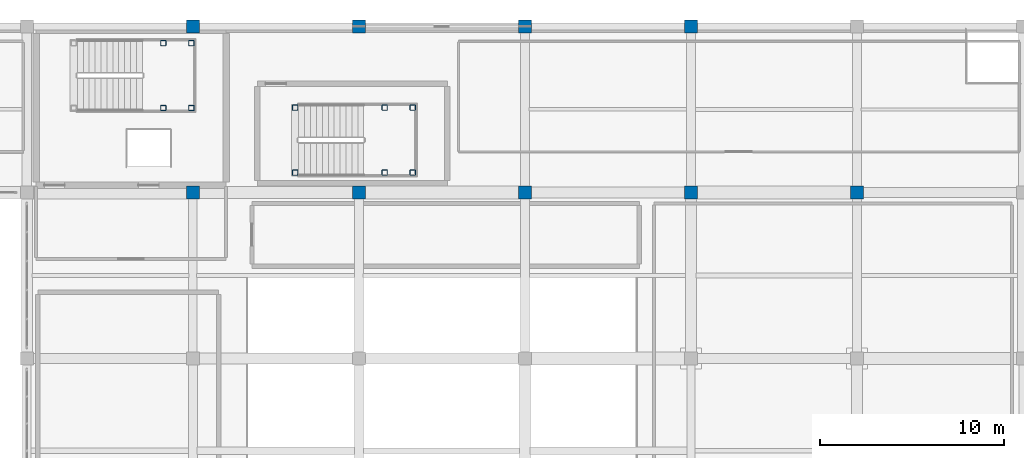
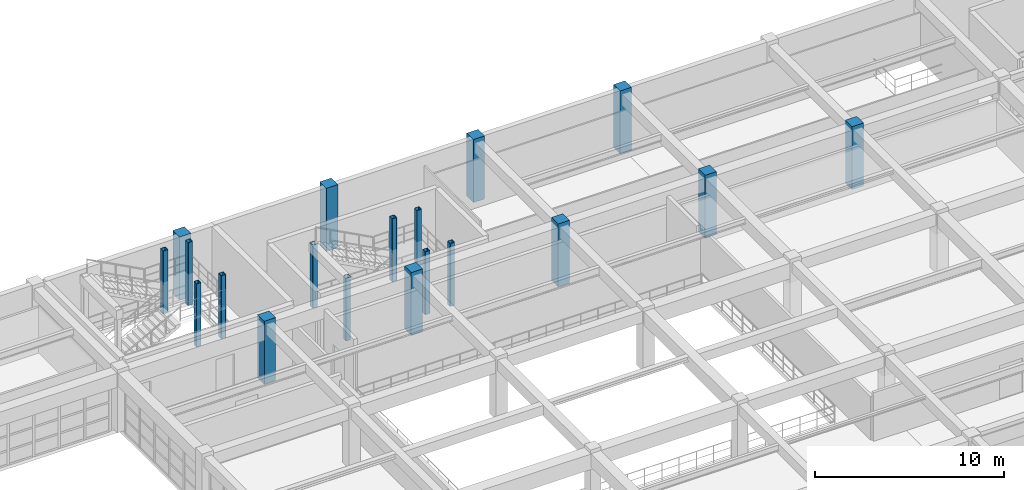
# One storey, part 13 of 130: 19 columns.
"""IFC4 building model written with IfcOpenShell, lengths in metres."""

from ifc_helpers import new_model, si_unit, direction, frame, origin, origin_2d, place, context, subcontext, project, spatial, rectangle, hollow_rectangle, extrude, material, material_profile, profile_set, type_object, element, save


model = new_model("IFC4")

# Units and contexts
model_context = context("Model", 3, precision=1e-05, world=origin(), true_north=direction((0.0, 1.0)))
body_context = subcontext(model_context, "Body", "Model", "MODEL_VIEW")
ifc_project = project(units=[si_unit("LENGTHUNIT", "METRE"), si_unit("AREAUNIT", "SQUARE_METRE"), si_unit("VOLUMEUNIT", "CUBIC_METRE"), si_unit("PLANEANGLEUNIT", "RADIAN"), si_unit("MASSUNIT", "GRAM", prefix="KILO")], contexts=[model_context])

# Site, building, storey
site_placement = place(None, origin())
site = spatial("IfcSite", under=ifc_project, at=site_placement, CompositionType="ELEMENT")
building_placement = place(site_placement, origin())
building = spatial("IfcBuilding", under=site, at=building_placement, Name="Miravela Opera House", CompositionType="ELEMENT")
storey_placement = place(building_placement, frame((0.0, 0.0, 9.52001953125)))
storey = spatial("IfcBuildingStorey", under=building, at=storey_placement, Name="L02", CompositionType="ELEMENT", Elevation=9.52001953125)

# Columns
ifc_material_1 = material(Name="Hollow structural steel ASTM A500 Gr. C", Category="steel")
ifc_material_profile_1 = material_profile(ifc_material_1, hollow_rectangle(XDim=0.300048828125, YDim=0.300048828125, WallThickness=0.01611328125, InnerFilletRadius=0.01611328125, OuterFilletRadius=0.031982421875, at=origin_2d()), Name="HSS300X300X16")
ifc_profile_set_1 = profile_set([ifc_material_profile_1])
column_type_1 = type_object("IfcColumnType", Name="STR-COL-HSS300", PredefinedType="COLUMN", material=ifc_profile_set_1)
for number, where, z_axis, x_axis, name in (
    (1, (70.39990234375, 107.580078125, 0.0), (0.0, 0.0, 1.0), (1.0, 0.0, 0.0), "Stair K5 Landing Support Column 3 (L02)"),
    (2, (70.39990234375, 111.10009765625, 0.0), (0.0, 0.0, 1.0), (1.0, 0.0, 0.0), "Stair K5 Landing Support Column 4 (L02)"),
    (3, (71.919921875, 107.580078125, 0.0), (0.0, 0.0, 1.0), (1.0, 0.0, 0.0), "Stair K5 Landing Support Column 5 (L02)"),
    (4, (71.919921875, 111.10009765625, 0.0), (0.0, 0.0, 1.0), (1.0, 0.0, 0.0), "Stair K5 Landing Support Column 6 (L02)"),
    (5, (77.5400390625, 104.080078125, 0.0), (0.0, 0.0, 1.0), (1.0, 0.0, 0.0), "Stair ST-07 Landing Support Column 1 (L02)"),
    (6, (77.5400390625, 107.60009765625, 0.0), (0.0, 0.0, 1.0), (1.0, 0.0, 0.0), "Stair ST-07 Landing Support Column 2 (L02)"),
    (7, (82.39990234375, 104.080078125, 0.0), (0.0, 0.0, 1.0), (1.0, 0.0, 0.0), "Stair ST-07 Landing Support Column 3 (L02)"),
    (8, (82.39990234375, 107.60009765625, 0.0), (0.0, 0.0, 1.0), (1.0, 0.0, 0.0), "Stair ST-07 Landing Support Column 4 (L02)"),
    (9, (83.919921875, 104.080078125, 0.0), (0.0, 0.0, 1.0), (1.0, 0.0, 0.0), "Stair ST-07 Landing Support Column 5 (L02)"),
    (10, (83.919921875, 107.60009765625, 0.0), (0.0, 0.0, 1.0), (1.0, 0.0, 0.0), "Stair ST-07 Landing Support Column 6 (L02)"),
):
    element("IfcColumn", number, at=place(storey_placement, frame(where, z_axis=z_axis, x_axis=x_axis)), inside=storey, type_object=column_type_1, Name=name, PredefinedType="COLUMN", context=body_context, shape_type="SweptSolid", body=[
        extrude(hollow_rectangle(XDim=0.300048828125, YDim=0.300048828125, WallThickness=0.01611328125, InnerFilletRadius=0.01611328125, OuterFilletRadius=0.031982421875, at=origin_2d()), origin(), (0.0, 0.0, 1.0), 4.080078125),
    ])
ifc_material_2 = material(Name="Concrete C35/45", Category="concrete")
ifc_material_profile_2 = material_profile(ifc_material_2, rectangle(XDim=0.699951171875, YDim=0.699951171875, at=origin_2d()), Name="RC-COL-700X700")
ifc_profile_set_2 = profile_set([ifc_material_profile_2])
column_type_2 = type_object("IfcColumnType", Name="STR-COL-RC700", PredefinedType="COLUMN", material=ifc_profile_set_2)
for number, where, z_axis, x_axis, name in (
    (11, (81.0, 103.0, 0.0), (0.0, 0.0, 1.0), (1.0, 0.0, 0.0), "Column C-10L (L02)"),
    (12, (81.0, 112.0, 0.0), (0.0, 0.0, 1.0), (1.0, 0.0, 0.0), "Column C-10M (L02)"),
    (13, (90.0, 103.0, 0.0), (0.0, 0.0, 1.0), (1.0, 0.0, 0.0), "Column C-11L (L02)"),
    (14, (90.0, 112.0, 0.0), (0.0, 0.0, 1.0), (1.0, 0.0, 0.0), "Column C-11M (L02)"),
    (15, (99.0, 103.0, 0.0), (0.0, 0.0, 1.0), (1.0, 0.0, 0.0), "Column C-12L (L02)"),
    (16, (99.0, 112.0, 0.0), (0.0, 0.0, 1.0), (1.0, 0.0, 0.0), "Column C-12M (L02)"),
    (17, (108.0, 103.0, 0.0), (0.0, 0.0, 1.0), (1.0, 0.0, 0.0), "Column C-13L (L02)"),
    (18, (72.0, 103.0, 0.0), (0.0, 0.0, 1.0), (1.0, 0.0, 0.0), "Column C-9L (L02)"),
    (19, (72.0, 112.0, 0.0), (0.0, 0.0, 1.0), (1.0, 0.0, 0.0), "Column C-9M (L02)"),
):
    element("IfcColumn", number, at=place(storey_placement, frame(where, z_axis=z_axis, x_axis=x_axis)), inside=storey, type_object=column_type_2, Name=name, PredefinedType="COLUMN", context=body_context, shape_type="SweptSolid", body=[
        extrude(rectangle(XDim=0.699951171875, YDim=0.699951171875, at=origin_2d()), origin(), (0.0, 0.0, 1.0), 4.080078125),
    ])

save(model, "model.ifc")
